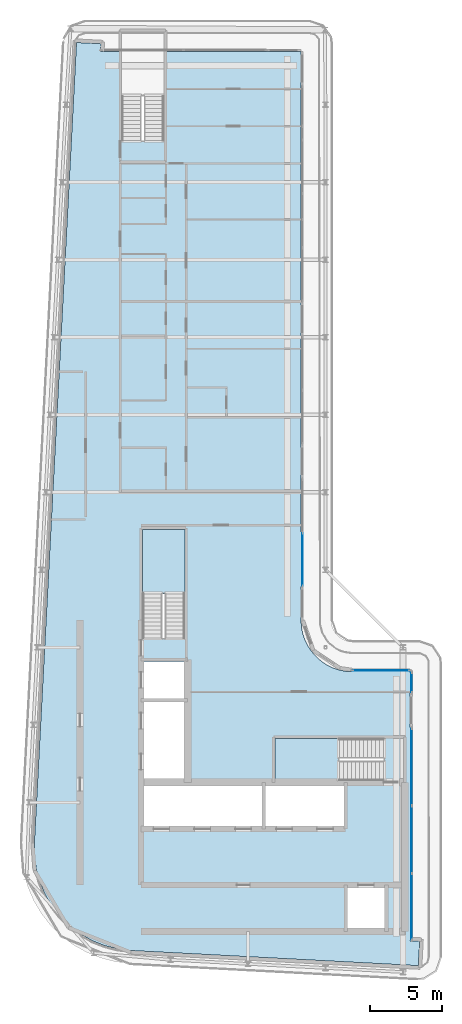
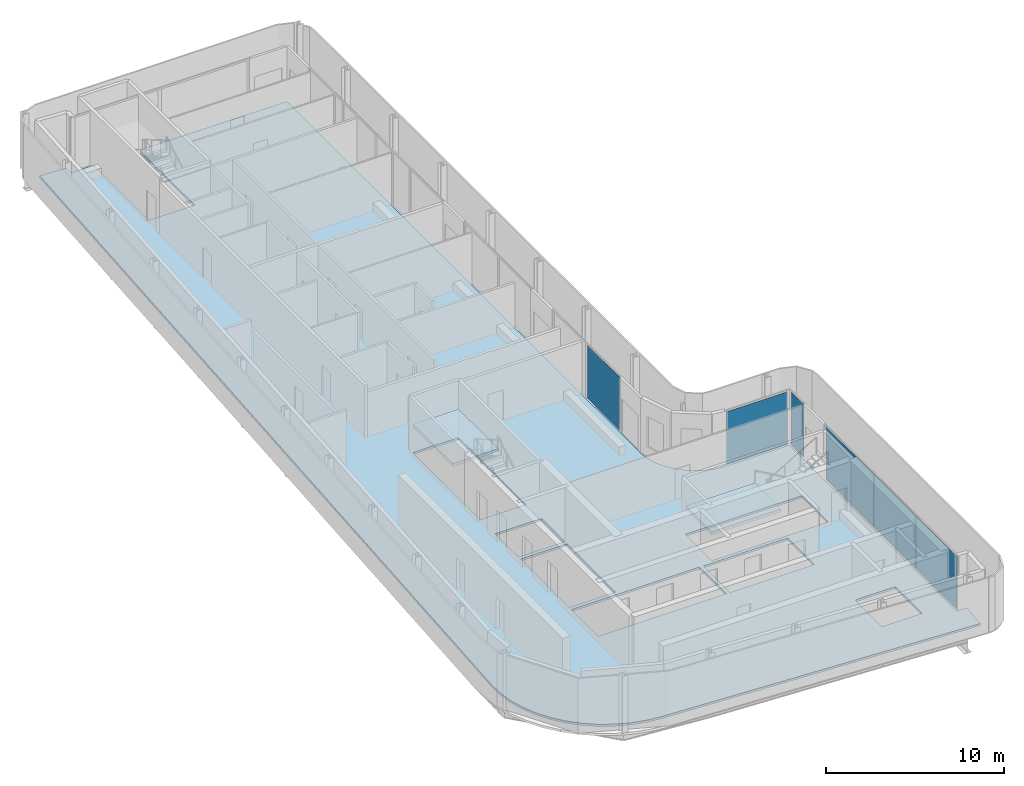
# One storey, part 7 of 17: 6 plates, 3 slabs, 7 elements without a shape of their own.
"""IFC4 building model written with IfcOpenShell, lengths in metres."""

import ifcopenshell
import ifcopenshell.guid

model = None  # the IFC model being written
_history = None  # IfcOwnerHistory: only IFC2X3 demands one
_inside = {}  # id of a spatial element -> (the spatial element, [elements in it])
_under = {}  # id of a project, library or spatial element -> (it, [spatial elements below it])
_declared = {}  # id of a project -> (the project, [libraries it declares])
_typed = {}  # id of a type object -> (the type object, [elements of that type])
_made_of = {}  # id of a material, layer set ... -> (it, [elements and type objects made of it])


def new_model(schema):
    """Start an empty IFC model of exactly this schema.

    Asked for "IFC4X3", IfcOpenShell would pick the latest addendum, in which some entities
    have other attributes; the version numbers below select the first issue.
    IFC2X3 requires an IfcOwnerHistory on every rooted entity: one is made here for all.
    """
    global model, _history
    if schema == "IFC4X3":
        model = ifcopenshell.file(schema_version=(4, 3, 0, 0))
    else:
        model = ifcopenshell.file(schema=schema)
    _inside.clear()
    _under.clear()
    _declared.clear()
    _typed.clear()
    _made_of.clear()
    _history = None
    if model.schema == "IFC2X3":
        org = make("IfcOrganization", Name="unknown")
        user = make(
            "IfcPersonAndOrganization",
            ThePerson=make("IfcPerson", FamilyName="unknown"),
            TheOrganization=org,
        )
        app = make(
            "IfcApplication",
            ApplicationDeveloper=org,
            Version="unknown",
            ApplicationFullName="unknown",
            ApplicationIdentifier="unknown",
        )
        _history = make(
            "IfcOwnerHistory",
            OwningUser=user,
            OwningApplication=app,
            ChangeAction="ADDED",
            CreationDate=0,
        )
    return model


def make(cls, **values):
    """One entity of the class cls with the attributes given. An attribute that is None is left unset."""
    return model.create_entity(
        cls, **{name: value for name, value in values.items() if value is not None}
    )


def rooted(cls, **values):
    """An entity with a GlobalId (a new one), such as an element, a storey or a relation."""
    return make(cls, GlobalId=ifcopenshell.guid.new(), OwnerHistory=_history, **values)


def si_unit(unit_type, name, prefix=None):
    """IfcSIUnit, for example si_unit("LENGTHUNIT", "METRE", prefix="MILLI")."""
    return make("IfcSIUnit", UnitType=unit_type, Prefix=prefix, Name=name)


def assignment(units):
    """IfcUnitAssignment: the units of a project."""
    return None if units is None else make("IfcUnitAssignment", Units=units)


def point(xyz):
    """IfcCartesianPoint."""
    return None if xyz is None else make("IfcCartesianPoint", Coordinates=xyz)


def direction(xyz):
    """IfcDirection."""
    return None if xyz is None else make("IfcDirection", DirectionRatios=xyz)


def frame(location, z_axis=None, x_axis=None):
    """IfcAxis2Placement3D, a coordinate frame: its origin and axes. An axis left out is left unset."""
    return make(
        "IfcAxis2Placement3D",
        Location=point(location),
        Axis=direction(z_axis),
        RefDirection=direction(x_axis),
    )


def frame_2d(location, x_axis=None):
    """IfcAxis2Placement2D, a coordinate frame in the plane: its origin and x axis."""
    return make(
        "IfcAxis2Placement2D", Location=point(location), RefDirection=direction(x_axis)
    )


def origin():
    """The frame at (0, 0, 0) with its axes left unset."""
    return frame((0.0, 0.0, 0.0))


def origin_2d():
    """The frame at (0, 0) in the plane with its x axis left unset."""
    return frame_2d((0.0, 0.0))


def place(relative_to, where):
    """IfcLocalPlacement: puts the frame where relative to a parent placement (None: the world)."""
    return make(
        "IfcLocalPlacement", PlacementRelTo=relative_to, RelativePlacement=where
    )


def context(
    kind, dimensions, precision=None, world=None, true_north=None, identifier=None
):
    """IfcGeometricRepresentationContext, for example the 3D "Model" context."""
    return make(
        "IfcGeometricRepresentationContext",
        ContextIdentifier=identifier,
        ContextType=kind,
        CoordinateSpaceDimension=dimensions,
        Precision=precision,
        WorldCoordinateSystem=world,
        TrueNorth=true_north,
    )


def subcontext(parent, identifier, kind, view, scale=None):
    """IfcGeometricRepresentationSubContext, for example "Body" below "Model"."""
    return make(
        "IfcGeometricRepresentationSubContext",
        ContextIdentifier=identifier,
        ContextType=kind,
        ParentContext=parent,
        TargetScale=scale,
        TargetView=view,
    )


def project(units=None, contexts=None):
    """IfcProject with its units and contexts."""
    return rooted(
        "IfcProject",
        Name="project",
        RepresentationContexts=contexts,
        UnitsInContext=assignment(units),
    )


def spatial(cls, under=None, at=None, **own):
    """A site, building, storey or space (cls), placed at a placement, below another one or the project."""
    s = rooted(cls, ObjectPlacement=at, **own)
    if under is not None:
        _under.setdefault(under.id(), (under, []))[1].append(s)
    return s


def polyline(points):
    """IfcPolyline through the points."""
    return make("IfcPolyline", Points=[point(p) for p in points])


def profile(cls, at=None, kind="AREA", **sizes):
    """A parametric profile (cls). Its sizes go by their IFC names, for example OverallWidth=200.0."""
    return make(cls, ProfileType=kind, Position=at, **sizes)


def rectangle(**sizes):
    """IfcRectangleProfileDef."""
    return profile("IfcRectangleProfileDef", **sizes)


def outline(outer, holes=None, kind="AREA"):
    """IfcArbitraryClosedProfileDef: a profile drawn as a closed curve; with holes, ...WithVoids."""
    if holes is None:
        return make("IfcArbitraryClosedProfileDef", ProfileType=kind, OuterCurve=outer)
    return make(
        "IfcArbitraryProfileDefWithVoids",
        ProfileType=kind,
        OuterCurve=outer,
        InnerCurves=holes,
    )


def extrude(swept, where, along, depth):
    """IfcExtrudedAreaSolid: the profile swept, set in the frame where, extruded along a direction by depth."""
    return make(
        "IfcExtrudedAreaSolid",
        SweptArea=swept,
        Position=where,
        ExtrudedDirection=direction(along),
        Depth=depth,
    )


def shape(context_of_items, identifier, shape_type, items):
    """IfcShapeRepresentation: the items that make up one representation, for example the "Body"."""
    return make(
        "IfcShapeRepresentation",
        ContextOfItems=context_of_items,
        RepresentationIdentifier=identifier,
        RepresentationType=shape_type,
        Items=items,
    )


def material(Name=None, Category=None):
    """IfcMaterial."""
    return make("IfcMaterial", Name=Name, Category=Category)


def layer(
    of_material, thickness, ventilated=None, Name=None, Category=None, Priority=None
):
    """IfcMaterialLayer: one layer of a wall or slab, of a material (None: an air gap)."""
    return make(
        "IfcMaterialLayer",
        Material=of_material,
        LayerThickness=thickness,
        IsVentilated=ventilated,
        Name=Name,
        Category=Category,
        Priority=Priority,
    )


def layer_set(layers, Name=None):
    """IfcMaterialLayerSet."""
    return make("IfcMaterialLayerSet", MaterialLayers=layers, LayerSetName=Name)


def made_of(thing, what):
    """Note that an element or type object is made of a material, layer set ...; save() writes the relation."""
    if what is not None:
        _made_of.setdefault(what.id(), (what, []))[1].append(thing)
    return thing


def type_object(cls, material=None, **own):
    """A type object (cls), such as IfcWallType, which elements share."""
    return made_of(rooted(cls, **own), material)


def element(
    cls,
    number,
    at=None,
    inside=None,
    cuts=None,
    type_object=None,
    material=None,
    context=None,
    identifier="Body",
    shape_type=None,
    held_by="IfcProductDefinitionShape",
    body=None,
    shapes=None,
    **own,
):
    """One element of the class cls, such as IfcWall. Its Tag is "e" and its number.

    at: its placement. inside: the storey or other place that contains it. cuts: it is an
    opening in that element (IfcRelVoidsElement). A single representation is given by context,
    identifier, shape_type and body (its items); several are given by shapes. held_by: the class
    of the entity that holds the representations. save() writes the other relations.
    """
    e = rooted(cls, Tag="e%d" % number, ObjectPlacement=at, **own)
    if body is not None:
        shapes = [shape(context, identifier, shape_type, body)]
    if shapes is not None:
        e.Representation = make(held_by, Representations=shapes)
    if inside is not None:
        _inside.setdefault(inside.id(), (inside, []))[1].append(e)
    if cuts is not None:
        rooted(
            "IfcRelVoidsElement", RelatingBuildingElement=cuts, RelatedOpeningElement=e
        )
    if type_object is not None:
        _typed.setdefault(type_object.id(), (type_object, []))[1].append(e)
    return made_of(e, material)


def aggregate(whole, parts):
    """IfcRelAggregates: a whole, such as a stair, and the parts it consists of."""
    return rooted("IfcRelAggregates", RelatingObject=whole, RelatedObjects=parts)


def save(model, path):
    """Write the relations noted so far, then the file.

    IfcRelAggregates (storeys below a building ...), IfcRelContainedInSpatialStructure (elements
    in a storey), IfcRelDefinesByType, IfcRelAssociatesMaterial and IfcRelDeclares: one each for
    every whole, place, type object, material and project.
    """
    for whole, parts in _under.values():
        aggregate(whole, parts)
    for where, things in _inside.values():
        rooted(
            "IfcRelContainedInSpatialStructure",
            RelatedElements=things,
            RelatingStructure=where,
        )
    for kind, things in _typed.values():
        rooted("IfcRelDefinesByType", RelatedObjects=things, RelatingType=kind)
    for what, things in _made_of.values():
        rooted("IfcRelAssociatesMaterial", RelatedObjects=things, RelatingMaterial=what)
    for by, libraries in _declared.values():
        rooted("IfcRelDeclares", RelatingContext=by, RelatedDefinitions=libraries)
    model.write(path)


model = new_model("IFC4")

# Units and contexts
model_context = context("Model", 3, precision=1e-05, world=origin(), true_north=direction((0.0, 1.0)))
body_context = subcontext(model_context, "Body", "Model", "MODEL_VIEW")
ifc_project = project(units=[si_unit("LENGTHUNIT", "METRE"), si_unit("AREAUNIT", "SQUARE_METRE"), si_unit("VOLUMEUNIT", "CUBIC_METRE"), si_unit("PLANEANGLEUNIT", "RADIAN"), si_unit("MASSUNIT", "GRAM", prefix="KILO")], contexts=[model_context])

# Site, building, storey
site_placement = place(None, origin())
site = spatial("IfcSite", under=ifc_project, at=site_placement, CompositionType="ELEMENT")
building_placement = place(site_placement, origin())
building = spatial("IfcBuilding", under=site, at=building_placement, Name="Kheshtan School and Residences Tower", CompositionType="ELEMENT")
storey_placement = place(building_placement, frame((0.0, 0.0, 342.199951171875)))
storey = spatial("IfcBuildingStorey", under=building, at=storey_placement, Name="L80", CompositionType="ELEMENT", Elevation=342.199951171875)

# Curtain wall, plate
ifc_material_1 = material(Name="Clear low-e glass in thermally broken aluminium frame", Category="aluminium")
ifc_layer_1 = layer(ifc_material_1, 0.199951171875)
ifc_layer_set_1 = layer_set([ifc_layer_1], Name="Curtain wall CW-B")
curtain_wall_type_1 = type_object("IfcCurtainWallType", Name="Curtain wall CW-B", PredefinedType="NOTDEFINED", material=ifc_layer_set_1)
curtain_wall_1_placement = place(storey_placement, origin())
curtain_wall_1 = element("IfcCurtainWall", 1, at=curtain_wall_1_placement, inside=storey, type_object=curtain_wall_type_1, Name="Curtain wall CWB8", PredefinedType="NOTDEFINED")
ifc_layer_2 = layer(ifc_material_1, 0.031982421875)
ifc_layer_set_2 = layer_set([ifc_layer_2], Name="CW-B glass panel")
plate_type_1 = type_object("IfcPlateType", Name="CW-B glass panel", PredefinedType="CURTAIN_PANEL", material=ifc_layer_set_2)
plate_1_placement = place(storey_placement, frame((51.465087890625, 44.0, 0.0), z_axis=(0.0, 0.0, 1.0), x_axis=(1.0, 0.0, 0.0)))
plate_1 = element("IfcPlate", 2, at=plate_1_placement, type_object=plate_type_1, Name="CWB8 panel 1.1", PredefinedType="CURTAIN_PANEL", context=body_context, shape_type="SweptSolid", body=[
    extrude(rectangle(XDim=3.949951171875, YDim=0.031982421875, at=origin_2d()), origin(), (0.0, 0.0, 1.0), 3.6298828125),
])
aggregate(curtain_wall_1, [plate_1])

ifc_layer_3 = layer(ifc_material_1, 0.199951171875)
ifc_layer_set_3 = layer_set([ifc_layer_3], Name="Curtain wall CW-L")
curtain_wall_type_2 = type_object("IfcCurtainWallType", Name="Curtain wall CW-L", PredefinedType="NOTDEFINED", material=ifc_layer_set_3)
curtain_wall_2_placement = place(storey_placement, origin())
curtain_wall_2 = element("IfcCurtainWall", 3, at=curtain_wall_2_placement, inside=storey, type_object=curtain_wall_type_2, Name="Curtain wall CWL4a", PredefinedType="NOTDEFINED")
ifc_layer_4 = layer(ifc_material_1, 0.031982421875)
ifc_layer_set_4 = layer_set([ifc_layer_4], Name="CW-L glass panel")
plate_type_2 = type_object("IfcPlateType", Name="CW-L glass panel", PredefinedType="CURTAIN_PANEL", material=ifc_layer_set_4)
plate_2_placement = place(storey_placement, frame((46.0, 51.724365234375, 0.0), z_axis=(0.0, 0.0, 1.0), x_axis=(0.0, -1.0, 0.0)))
plate_2 = element("IfcPlate", 4, at=plate_2_placement, type_object=plate_type_2, Name="CWL4a panel 2.1", PredefinedType="CURTAIN_PANEL", context=body_context, shape_type="SweptSolid", body=[
    extrude(rectangle(XDim=3.668701171875, YDim=0.031982421875, at=origin_2d()), origin(), (0.0, 0.0, 1.0), 3.6298828125),
])
aggregate(curtain_wall_2, [plate_2])

curtain_wall_3_placement = place(storey_placement, origin())
curtain_wall_3 = element("IfcCurtainWall", 5, at=curtain_wall_3_placement, inside=storey, type_object=curtain_wall_type_2, Name="Curtain wall CWL9b", PredefinedType="NOTDEFINED")
plate_3_placement = place(storey_placement, frame((53.60009765625, 43.14990234375, 0.0), z_axis=(0.0, 0.0, 1.0), x_axis=(0.0, -1.0, 0.0)))
plate_3 = element("IfcPlate", 6, at=plate_3_placement, type_object=plate_type_2, Name="CWL9b panel 1.1", PredefinedType="CURTAIN_PANEL", context=body_context, shape_type="SweptSolid", body=[
    extrude(rectangle(XDim=1.3798828125, YDim=0.031982421875, at=origin_2d()), origin(), (0.0, 0.0, 1.0), 3.6298828125),
])
aggregate(curtain_wall_3, [plate_3])

curtain_wall_4_placement = place(storey_placement, origin())
curtain_wall_4 = element("IfcCurtainWall", 7, at=curtain_wall_4_placement, inside=storey, type_object=curtain_wall_type_2, Name="Curtain wall CWL9c", PredefinedType="NOTDEFINED")
plate_4_placement = place(storey_placement, frame((53.60009765625, 37.263916015625, 0.0), z_axis=(0.0, 0.0, 1.0), x_axis=(0.0, -1.0, 0.0)))
plate_4 = element("IfcPlate", 8, at=plate_4_placement, type_object=plate_type_2, Name="CWL9c panel 1.1", PredefinedType="CURTAIN_PANEL", context=body_context, shape_type="SweptSolid", body=[
    extrude(rectangle(XDim=5.35205078125, YDim=0.031982421875, at=origin_2d()), origin(), (0.0, 0.0, 1.0), 3.6298828125),
])
aggregate(curtain_wall_4, [plate_4])

# Curtain wall, plates
curtain_wall_5_placement = place(storey_placement, origin())
curtain_wall_5 = element("IfcCurtainWall", 9, at=curtain_wall_5_placement, inside=storey, type_object=curtain_wall_type_2, Name="Curtain wall CWL9d", PredefinedType="NOTDEFINED")
plate_5_placement = place(storey_placement, frame((53.60009765625, 32.199951171875, 0.0), z_axis=(0.0, 0.0, 1.0), x_axis=(0.0, -1.0, 0.0)))
plate_5 = element("IfcPlate", 10, at=plate_5_placement, type_object=plate_type_2, Name="CWL9d panel 1.1", PredefinedType="CURTAIN_PANEL", context=body_context, shape_type="SweptSolid", body=[
    extrude(rectangle(XDim=4.656005859375, YDim=0.031982421875, at=origin_2d()), origin(), (0.0, 0.0, 1.0), 3.6298828125),
])
plate_6_placement = place(storey_placement, frame((53.60009765625, 27.513916015625, 0.0), z_axis=(0.0, 0.0, 1.0), x_axis=(0.0, -1.0, 0.0)))
plate_6 = element("IfcPlate", 11, at=plate_6_placement, type_object=plate_type_2, Name="CWL9d panel 2.1", PredefinedType="CURTAIN_PANEL", context=body_context, shape_type="SweptSolid", body=[
    extrude(rectangle(XDim=4.595947265625, YDim=0.031982421875, at=origin_2d()), origin(), (0.0, 0.0, 1.0), 3.6298828125),
])
aggregate(curtain_wall_5, [plate_5, plate_6])

# Slab
ifc_material_2 = material(Name="Concrete C40/50", Category="concrete")
ifc_layer_5 = layer(ifc_material_2, 0.14990234375)
ifc_layer_set_5 = layer_set([ifc_layer_5], Name="Floor slab 150 Concrete C40/50")
slab_type_1 = type_object("IfcSlabType", Name="Floor slab 150 Concrete C40/50", PredefinedType="FLOOR", material=ifc_layer_set_5)
slab_1_placement = place(storey_placement, frame((0.0, 0.0, -0.14990234375)))
element("IfcSlab", 12, at=slab_1_placement, inside=storey, type_object=slab_type_1, Name="Floor slab L80", PredefinedType="FLOOR", context=body_context, shape_type="SweptSolid", body=[
    extrude(outline(polyline([(28.55908203125, 27.550048828125), (28.0849609375, 28.345947265625), (27.718017578125, 29.200927734375), (27.466064453125, 30.093017578125), (27.466064453125, 30.093994140625), (27.3330078125, 31.013916015625), (27.320068359375, 31.965087890625), (27.320068359375, 31.970947265625), (30.25390625, 87.700927734375), (30.2548828125, 87.7080078125), (30.258056640625, 87.73095703125), (30.258056640625, 87.73193359375), (30.259033203125, 87.73193359375), (30.85400390625, 87.699951171875), (30.85498046875, 87.699951171875), (30.85498046875, 87.698974609375), (30.85498046875, 87.695068359375), (30.85498046875, 87.694091796875), (30.85595703125, 87.694091796875), (30.85595703125, 87.693115234375), (30.85693359375, 87.693115234375), (30.85791015625, 87.693115234375), (30.85791015625, 87.694091796875), (30.860107421875, 87.696044921875), (30.861083984375, 87.697021484375), (30.862060546875, 87.697998046875), (30.863037109375, 87.697998046875), (30.863037109375, 87.698974609375), (30.864013671875, 87.698974609375), (30.864013671875, 87.699951171875), (30.864990234375, 87.699951171875), (30.866943359375, 87.700927734375), (30.867919921875, 87.701904296875), (30.87109375, 87.701904296875), (30.8720703125, 87.701904296875), (30.8720703125, 87.702880859375), (30.873046875, 87.702880859375), (30.8779296875, 87.702880859375), (31.93310546875, 87.64697265625), (31.93603515625, 87.64697265625), (31.93701171875, 87.64697265625), (31.93701171875, 87.64599609375), (31.93798828125, 87.64599609375), (31.94189453125, 87.64599609375), (31.94189453125, 87.64501953125), (31.943115234375, 87.64501953125), (31.943115234375, 87.64404296875), (31.944091796875, 87.64404296875), (31.944091796875, 87.64306640625), (31.945068359375, 87.64306640625), (31.946044921875, 87.64306640625), (31.946044921875, 87.64208984375), (31.947021484375, 87.64208984375), (31.947998046875, 87.64208984375), (31.947998046875, 87.64111328125), (31.949951171875, 87.638916015625), (31.950927734375, 87.638916015625), (31.950927734375, 87.637939453125), (31.950927734375, 87.636962890625), (31.951904296875, 87.636962890625), (31.951904296875, 87.635986328125), (31.952880859375, 87.635986328125), (31.952880859375, 87.634033203125), (31.952880859375, 87.633056640625), (31.9541015625, 87.633056640625), (31.9541015625, 87.632080078125), (31.955078125, 87.632080078125), (31.955078125, 87.631103515625), (31.955078125, 87.62890625), (31.955078125, 87.6279296875), (31.9560546875, 87.6279296875), (31.9560546875, 87.626953125), (31.9560546875, 87.6220703125), (31.928955078125, 87.12109375), (31.928955078125, 87.117919921875), (31.928955078125, 87.116943359375), (31.927978515625, 87.116943359375), (31.927978515625, 87.115966796875), (31.927978515625, 87.112060546875), (31.927001953125, 87.111083984375), (31.927001953125, 87.110107421875), (31.926025390625, 87.110107421875), (31.926025390625, 87.10888671875), (31.925048828125, 87.10888671875), (31.925048828125, 87.10791015625), (31.924072265625, 87.10693359375), (31.922119140625, 87.10498046875), (31.9208984375, 87.10400390625), (31.919921875, 87.10400390625), (31.919921875, 87.10302734375), (31.919921875, 87.10205078125), (31.919921875, 87.10107421875), (31.9208984375, 87.10107421875), (31.9208984375, 87.10009765625), (31.922119140625, 87.10009765625), (33.39990234375, 87.10009765625), (33.39990234375, 80.909912109375), (34.800048828125, 80.909912109375), (34.800048828125, 80.89990234375), (36.35009765625, 80.89990234375), (36.35009765625, 87.10009765625), (45.85498046875, 87.10009765625), (45.864990234375, 87.097900390625), (45.865966796875, 87.097900390625), (45.868896484375, 87.095947265625), (45.8740234375, 87.093994140625), (45.8779296875, 87.092041015625), (45.881103515625, 87.090087890625), (45.881103515625, 87.089111328125), (45.882080078125, 87.089111328125), (45.882080078125, 87.087890625), (45.883056640625, 87.087890625), (45.884033203125, 87.0849609375), (45.885009765625, 87.0849609375), (45.885009765625, 87.083984375), (45.887939453125, 87.0830078125), (45.887939453125, 87.08203125), (45.888916015625, 87.08203125), (45.888916015625, 87.0810546875), (45.889892578125, 87.0810546875), (45.89208984375, 87.077880859375), (45.89404296875, 87.073974609375), (45.89599609375, 87.069091796875), (45.89794921875, 87.06591796875), (45.89794921875, 87.06494140625), (45.89990234375, 87.054931640625), (45.89990234375, 47.429931640625), (45.927001953125, 47.030029296875), (46.01806640625, 46.570068359375), (46.01806640625, 46.569091796875), (46.169921875, 46.1201171875), (46.37890625, 45.697021484375), (46.638916015625, 45.30810546875), (46.949951171875, 44.950927734375), (46.950927734375, 44.949951171875), (47.30810546875, 44.638916015625), (47.697021484375, 44.37890625), (48.1201171875, 44.169921875), (48.569091796875, 44.01806640625), (48.570068359375, 44.01806640625), (49.030029296875, 43.927001953125), (49.429931640625, 43.89990234375), (53.455078125, 43.89990234375), (53.465087890625, 43.89794921875), (53.466064453125, 43.89794921875), (53.468994140625, 43.89599609375), (53.47412109375, 43.89404296875), (53.47802734375, 43.89208984375), (53.48095703125, 43.889892578125), (53.48095703125, 43.888916015625), (53.48193359375, 43.888916015625), (53.48193359375, 43.887939453125), (53.48291015625, 43.887939453125), (53.48388671875, 43.885009765625), (53.485107421875, 43.885009765625), (53.485107421875, 43.884033203125), (53.488037109375, 43.883056640625), (53.488037109375, 43.882080078125), (53.489013671875, 43.882080078125), (53.489013671875, 43.881103515625), (53.489990234375, 43.881103515625), (53.491943359375, 43.8779296875), (53.493896484375, 43.8740234375), (53.49609375, 43.868896484375), (53.498046875, 43.865966796875), (53.498046875, 43.864990234375), (53.4990234375, 43.860107421875), (53.5, 43.85498046875), (53.5, 25.15087890625), (53.5, 25.14990234375), (53.5009765625, 25.14990234375), (53.5009765625, 25.14892578125), (53.501953125, 25.14892578125), (53.5029296875, 25.14892578125), (53.5029296875, 25.14990234375), (53.506103515625, 25.153076171875), (53.507080078125, 25.154052734375), (53.508056640625, 25.154052734375), (53.508056640625, 25.155029296875), (53.509033203125, 25.155029296875), (53.509033203125, 25.156005859375), (53.512939453125, 25.157958984375), (53.51611328125, 25.157958984375), (53.51708984375, 25.157958984375), (53.51708984375, 25.158935546875), (53.51806640625, 25.158935546875), (53.52294921875, 25.158935546875), (54.137939453125, 25.1259765625), (54.14111328125, 25.1259765625), (54.14208984375, 25.1259765625), (54.14208984375, 25.125), (54.14306640625, 25.125), (54.14697265625, 25.125), (54.14697265625, 25.1240234375), (54.14794921875, 25.1240234375), (54.14794921875, 25.123046875), (54.14892578125, 25.123046875), (54.14892578125, 25.1220703125), (54.14990234375, 25.1220703125), (54.15087890625, 25.1220703125), (54.15087890625, 25.12109375), (54.152099609375, 25.12109375), (54.153076171875, 25.12109375), (54.156005859375, 25.117919921875), (54.156005859375, 25.116943359375), (54.156005859375, 25.115966796875), (54.156982421875, 25.115966796875), (54.156982421875, 25.114990234375), (54.157958984375, 25.114990234375), (54.157958984375, 25.113037109375), (54.157958984375, 25.112060546875), (54.158935546875, 25.112060546875), (54.158935546875, 25.111083984375), (54.159912109375, 25.111083984375), (54.159912109375, 25.110107421875), (54.159912109375, 25.10791015625), (54.159912109375, 25.10693359375), (54.160888671875, 25.10693359375), (54.160888671875, 25.10595703125), (54.160888671875, 25.10107421875), (54.10498046875, 24.0439453125), (54.10498046875, 24.041015625), (54.10498046875, 24.0400390625), (54.10400390625, 24.0400390625), (54.10400390625, 24.0390625), (54.10400390625, 24.034912109375), (54.10302734375, 24.033935546875), (54.10302734375, 24.032958984375), (54.10205078125, 24.032958984375), (54.10205078125, 24.031982421875), (54.10107421875, 24.031982421875), (54.10107421875, 24.031005859375), (54.096923828125, 24.027099609375), (54.095947265625, 24.027099609375), (54.095947265625, 24.02587890625), (54.095947265625, 24.02490234375), (54.095947265625, 24.02392578125), (54.096923828125, 24.02392578125), (54.096923828125, 24.02294921875), (54.097900390625, 24.02294921875), (54.09912109375, 24.02294921875), (54.10009765625, 24.02294921875), (54.10009765625, 24.02197265625), (54.068115234375, 23.427001953125), (54.068115234375, 23.426025390625), (54.06689453125, 23.426025390625), (54.04296875, 23.425048828125), (54.0380859375, 23.425048828125), (34.056884765625, 24.47802734375), (33.114990234375, 24.590087890625), (32.215087890625, 24.819091796875), (32.214111328125, 24.819091796875), (31.35205078125, 25.1630859375), (30.541015625, 25.616943359375), (29.799072265625, 26.1708984375), (29.799072265625, 26.172119140625), (29.798095703125, 26.172119140625), (29.134033203125, 26.820068359375), (29.134033203125, 26.821044921875), (29.133056640625, 26.821044921875), (28.55908203125, 27.550048828125)]), holes=[polyline([(53.5009765625, 24.030029296875), (53.5, 24.030029296875), (53.5, 24.029052734375), (53.5, 24.02490234375), (53.5, 24.02392578125), (53.5009765625, 24.02392578125), (53.5009765625, 24.02294921875), (53.501953125, 24.02294921875), (53.506103515625, 24.02294921875), (53.507080078125, 24.02294921875), (53.507080078125, 24.02392578125), (53.508056640625, 24.02392578125), (53.508056640625, 24.02490234375), (53.508056640625, 24.02587890625), (53.507080078125, 24.02587890625), (53.50390625, 24.029052734375), (53.5029296875, 24.030029296875), (53.5029296875, 24.031005859375), (53.501953125, 24.031005859375), (53.5009765625, 24.031005859375), (53.5009765625, 24.030029296875)]), polyline([(30.85595703125, 87.10693359375), (30.85498046875, 87.10693359375), (30.85498046875, 87.10595703125), (30.85498046875, 87.10205078125), (30.85498046875, 87.10107421875), (30.85595703125, 87.10107421875), (30.85595703125, 87.10009765625), (30.85693359375, 87.10009765625), (30.861083984375, 87.10009765625), (30.862060546875, 87.10009765625), (30.862060546875, 87.10107421875), (30.863037109375, 87.10107421875), (30.863037109375, 87.10205078125), (30.863037109375, 87.10302734375), (30.862060546875, 87.10302734375), (30.861083984375, 87.10400390625), (30.860107421875, 87.10498046875), (30.85888671875, 87.10595703125), (30.85791015625, 87.10693359375), (30.85791015625, 87.10791015625), (30.85693359375, 87.10791015625), (30.85595703125, 87.10791015625), (30.85595703125, 87.10693359375)]), polyline([(51.72509765625, 28.925048828125), (49.125, 28.925048828125), (49.125, 25.925048828125), (51.72509765625, 25.925048828125), (51.72509765625, 28.925048828125)]), polyline([(43.175048828125, 33.074951171875), (43.175048828125, 36.074951171875), (34.875, 36.074951171875), (34.875, 33.074951171875), (43.175048828125, 33.074951171875)]), polyline([(43.425048828125, 36.074951171875), (43.425048828125, 33.074951171875), (48.875, 33.074951171875), (48.875, 36.074951171875), (43.425048828125, 36.074951171875)]), polyline([(51.64990234375, 37.699951171875), (51.64990234375, 39.25), (44.090087890625, 39.25), (44.090087890625, 36.300048828125), (51.639892578125, 36.300048828125), (51.639892578125, 37.699951171875), (51.64990234375, 37.699951171875)]), polyline([(37.875, 41.77490234375), (34.875, 41.77490234375), (34.875, 36.324951171875), (37.875, 36.324951171875), (37.875, 41.77490234375)]), polyline([(37.875, 44.625), (34.875, 44.625), (34.875, 42.02490234375), (37.875, 42.02490234375), (37.875, 44.625)]), polyline([(37.800048828125, 53.81005859375), (34.85009765625, 53.81005859375), (34.85009765625, 46.260009765625), (36.25, 46.260009765625), (36.25, 46.25), (37.800048828125, 46.25), (37.800048828125, 53.81005859375)])]), origin(), (0.0, 0.0, 1.0), 0.14990234375),
])

# Stair, slab
stair_type = type_object("IfcStairType", Name="Exit stair, half-turn", PredefinedType="HALF_TURN_STAIR", material=ifc_material_2)
stair_1_placement = place(storey_placement, origin())
stair_1 = element("IfcStair", 13, at=stair_1_placement, inside=storey, type_object=stair_type, Name="L80 Protected Exit Stair ST1", PredefinedType="HALF_TURN_STAIR")
ifc_layer_6 = layer(ifc_material_2, 0.199951171875)
ifc_layer_set_6 = layer_set([ifc_layer_6], Name="Stair landing 200 Concrete C40/50")
slab_type_2 = type_object("IfcSlabType", Name="Stair landing 200 Concrete C40/50", PredefinedType="LANDING", material=ifc_layer_set_6)
slab_2_placement = place(storey_placement, frame((0.0, 0.0, 1.75)))
slab_2 = element("IfcSlab", 14, at=slab_2_placement, type_object=slab_type_2, Name="ST1 landing 1", PredefinedType="LANDING", context=body_context, shape_type="SweptSolid", body=[
    extrude(outline(polyline([(48.570068359375, 39.25), (44.090087890625, 39.25), (44.090087890625, 36.300048828125), (48.570068359375, 36.300048828125), (48.570068359375, 39.25)])), origin(), (0.0, 0.0, 1.0), 0.199951171875),
])
aggregate(stair_1, [slab_2])

stair_2_placement = place(storey_placement, origin())
stair_2 = element("IfcStair", 15, at=stair_2_placement, inside=storey, type_object=stair_type, Name="L80 Protected Exit Stair ST2", PredefinedType="HALF_TURN_STAIR")
slab_3_placement = place(storey_placement, frame((0.0, 0.0, 1.75)))
slab_3 = element("IfcSlab", 16, at=slab_3_placement, type_object=slab_type_2, Name="ST2 landing 1", PredefinedType="LANDING", context=body_context, shape_type="SweptSolid", body=[
    extrude(outline(polyline([(37.800048828125, 49.330078125), (37.800048828125, 53.81005859375), (34.85009765625, 53.81005859375), (34.85009765625, 49.330078125), (37.800048828125, 49.330078125)])), origin(), (0.0, 0.0, 1.0), 0.199951171875),
])
aggregate(stair_2, [slab_3])

save(model, "model.ifc")
